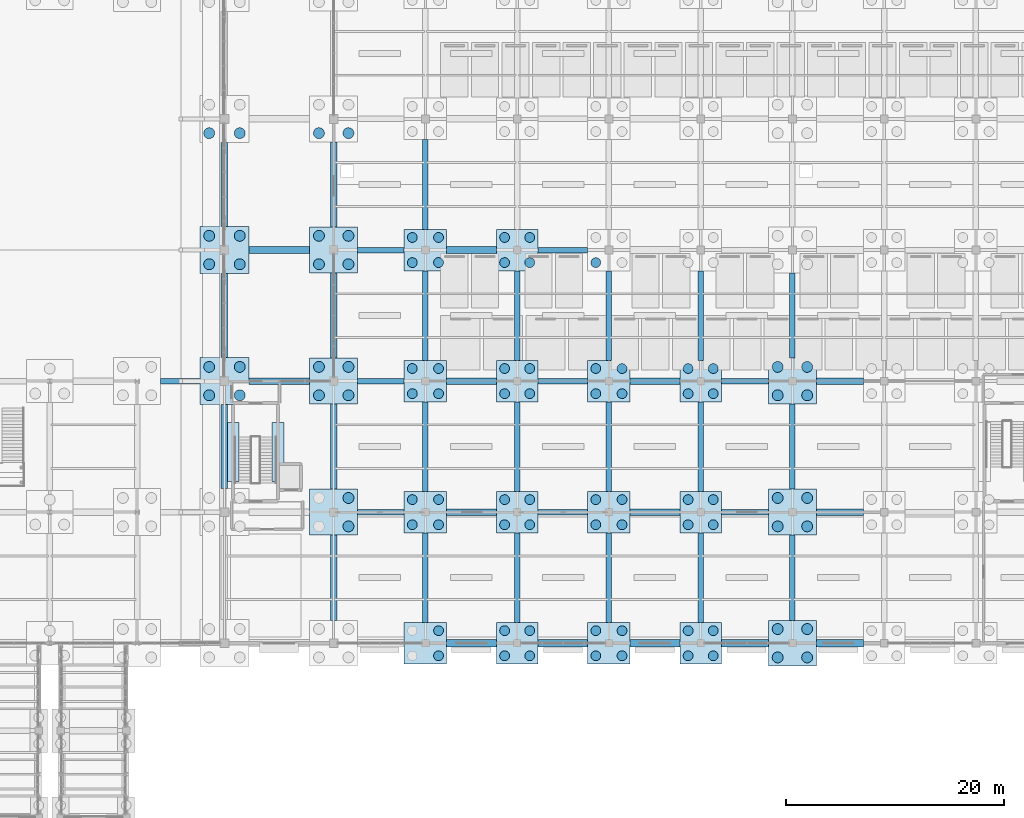
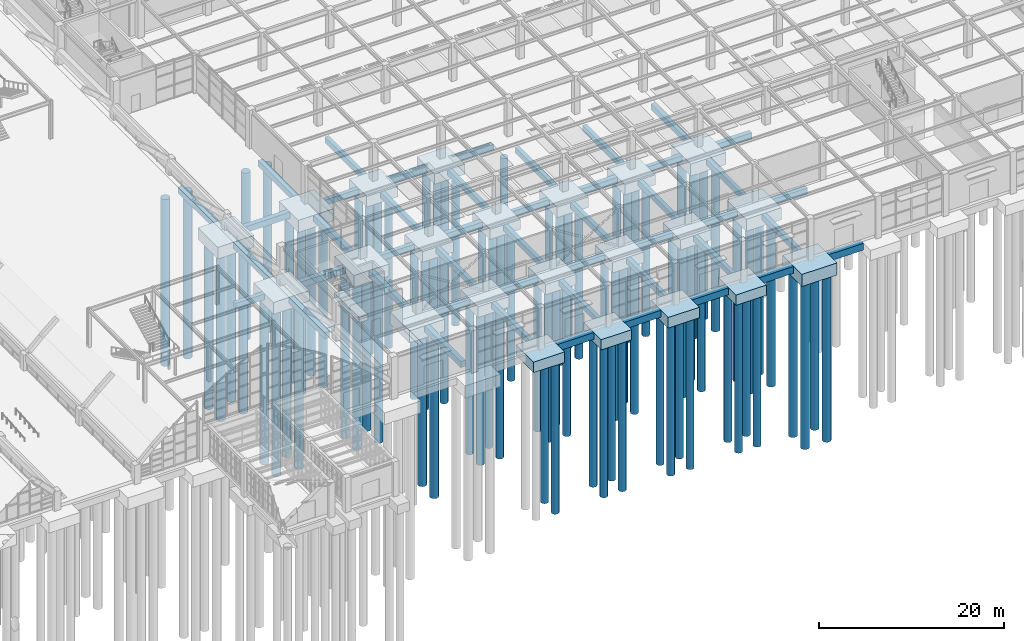
# One storey, part 3 of 129: 89 piles, 70 footings.
"""IFC4 building model written with IfcOpenShell, lengths in metres."""

import ifcopenshell
import ifcopenshell.guid

model = None  # the IFC model being written
_history = None  # IfcOwnerHistory: only IFC2X3 demands one
_inside = {}  # id of a spatial element -> (the spatial element, [elements in it])
_under = {}  # id of a project, library or spatial element -> (it, [spatial elements below it])
_declared = {}  # id of a project -> (the project, [libraries it declares])
_typed = {}  # id of a type object -> (the type object, [elements of that type])
_made_of = {}  # id of a material, layer set ... -> (it, [elements and type objects made of it])


def new_model(schema):
    """Start an empty IFC model of exactly this schema.

    Asked for "IFC4X3", IfcOpenShell would pick the latest addendum, in which some entities
    have other attributes; the version numbers below select the first issue.
    IFC2X3 requires an IfcOwnerHistory on every rooted entity: one is made here for all.
    """
    global model, _history
    if schema == "IFC4X3":
        model = ifcopenshell.file(schema_version=(4, 3, 0, 0))
    else:
        model = ifcopenshell.file(schema=schema)
    _inside.clear()
    _under.clear()
    _declared.clear()
    _typed.clear()
    _made_of.clear()
    _history = None
    if model.schema == "IFC2X3":
        org = make("IfcOrganization", Name="unknown")
        user = make(
            "IfcPersonAndOrganization",
            ThePerson=make("IfcPerson", FamilyName="unknown"),
            TheOrganization=org,
        )
        app = make(
            "IfcApplication",
            ApplicationDeveloper=org,
            Version="unknown",
            ApplicationFullName="unknown",
            ApplicationIdentifier="unknown",
        )
        _history = make(
            "IfcOwnerHistory",
            OwningUser=user,
            OwningApplication=app,
            ChangeAction="ADDED",
            CreationDate=0,
        )
    return model


def make(cls, **values):
    """One entity of the class cls with the attributes given. An attribute that is None is left unset."""
    return model.create_entity(
        cls, **{name: value for name, value in values.items() if value is not None}
    )


def rooted(cls, **values):
    """An entity with a GlobalId (a new one), such as an element, a storey or a relation."""
    return make(cls, GlobalId=ifcopenshell.guid.new(), OwnerHistory=_history, **values)


def si_unit(unit_type, name, prefix=None):
    """IfcSIUnit, for example si_unit("LENGTHUNIT", "METRE", prefix="MILLI")."""
    return make("IfcSIUnit", UnitType=unit_type, Prefix=prefix, Name=name)


def assignment(units):
    """IfcUnitAssignment: the units of a project."""
    return None if units is None else make("IfcUnitAssignment", Units=units)


def point(xyz):
    """IfcCartesianPoint."""
    return None if xyz is None else make("IfcCartesianPoint", Coordinates=xyz)


def direction(xyz):
    """IfcDirection."""
    return None if xyz is None else make("IfcDirection", DirectionRatios=xyz)


def frame(location, z_axis=None, x_axis=None):
    """IfcAxis2Placement3D, a coordinate frame: its origin and axes. An axis left out is left unset."""
    return make(
        "IfcAxis2Placement3D",
        Location=point(location),
        Axis=direction(z_axis),
        RefDirection=direction(x_axis),
    )


def frame_2d(location, x_axis=None):
    """IfcAxis2Placement2D, a coordinate frame in the plane: its origin and x axis."""
    return make(
        "IfcAxis2Placement2D", Location=point(location), RefDirection=direction(x_axis)
    )


def origin():
    """The frame at (0, 0, 0) with its axes left unset."""
    return frame((0.0, 0.0, 0.0))


def origin_2d():
    """The frame at (0, 0) in the plane with its x axis left unset."""
    return frame_2d((0.0, 0.0))


def place(relative_to, where):
    """IfcLocalPlacement: puts the frame where relative to a parent placement (None: the world)."""
    return make(
        "IfcLocalPlacement", PlacementRelTo=relative_to, RelativePlacement=where
    )


def context(
    kind, dimensions, precision=None, world=None, true_north=None, identifier=None
):
    """IfcGeometricRepresentationContext, for example the 3D "Model" context."""
    return make(
        "IfcGeometricRepresentationContext",
        ContextIdentifier=identifier,
        ContextType=kind,
        CoordinateSpaceDimension=dimensions,
        Precision=precision,
        WorldCoordinateSystem=world,
        TrueNorth=true_north,
    )


def subcontext(parent, identifier, kind, view, scale=None):
    """IfcGeometricRepresentationSubContext, for example "Body" below "Model"."""
    return make(
        "IfcGeometricRepresentationSubContext",
        ContextIdentifier=identifier,
        ContextType=kind,
        ParentContext=parent,
        TargetScale=scale,
        TargetView=view,
    )


def project(units=None, contexts=None):
    """IfcProject with its units and contexts."""
    return rooted(
        "IfcProject",
        Name="project",
        RepresentationContexts=contexts,
        UnitsInContext=assignment(units),
    )


def spatial(cls, under=None, at=None, **own):
    """A site, building, storey or space (cls), placed at a placement, below another one or the project."""
    s = rooted(cls, ObjectPlacement=at, **own)
    if under is not None:
        _under.setdefault(under.id(), (under, []))[1].append(s)
    return s


def profile(cls, at=None, kind="AREA", **sizes):
    """A parametric profile (cls). Its sizes go by their IFC names, for example OverallWidth=200.0."""
    return make(cls, ProfileType=kind, Position=at, **sizes)


def rectangle(**sizes):
    """IfcRectangleProfileDef."""
    return profile("IfcRectangleProfileDef", **sizes)


def circle(**sizes):
    """IfcCircleProfileDef."""
    return profile("IfcCircleProfileDef", **sizes)


def extrude(swept, where, along, depth):
    """IfcExtrudedAreaSolid: the profile swept, set in the frame where, extruded along a direction by depth."""
    return make(
        "IfcExtrudedAreaSolid",
        SweptArea=swept,
        Position=where,
        ExtrudedDirection=direction(along),
        Depth=depth,
    )


def shape(context_of_items, identifier, shape_type, items):
    """IfcShapeRepresentation: the items that make up one representation, for example the "Body"."""
    return make(
        "IfcShapeRepresentation",
        ContextOfItems=context_of_items,
        RepresentationIdentifier=identifier,
        RepresentationType=shape_type,
        Items=items,
    )


def material(Name=None, Category=None):
    """IfcMaterial."""
    return make("IfcMaterial", Name=Name, Category=Category)


def material_profile(
    of_material, cross_section, Name=None, Category=None, Priority=None
):
    """IfcMaterialProfile: a cross section and its material."""
    return make(
        "IfcMaterialProfile",
        Name=Name,
        Material=of_material,
        Profile=cross_section,
        Priority=Priority,
        Category=Category,
    )


def profile_set(profiles, Name=None, composite=None):
    """IfcMaterialProfileSet."""
    return make(
        "IfcMaterialProfileSet",
        Name=Name,
        MaterialProfiles=profiles,
        CompositeProfile=composite,
    )


def made_of(thing, what):
    """Note that an element or type object is made of a material, layer set ...; save() writes the relation."""
    if what is not None:
        _made_of.setdefault(what.id(), (what, []))[1].append(thing)
    return thing


def type_object(cls, material=None, **own):
    """A type object (cls), such as IfcWallType, which elements share."""
    return made_of(rooted(cls, **own), material)


def element(
    cls,
    number,
    at=None,
    inside=None,
    cuts=None,
    type_object=None,
    material=None,
    context=None,
    identifier="Body",
    shape_type=None,
    held_by="IfcProductDefinitionShape",
    body=None,
    shapes=None,
    **own,
):
    """One element of the class cls, such as IfcWall. Its Tag is "e" and its number.

    at: its placement. inside: the storey or other place that contains it. cuts: it is an
    opening in that element (IfcRelVoidsElement). A single representation is given by context,
    identifier, shape_type and body (its items); several are given by shapes. held_by: the class
    of the entity that holds the representations. save() writes the other relations.
    """
    e = rooted(cls, Tag="e%d" % number, ObjectPlacement=at, **own)
    if body is not None:
        shapes = [shape(context, identifier, shape_type, body)]
    if shapes is not None:
        e.Representation = make(held_by, Representations=shapes)
    if inside is not None:
        _inside.setdefault(inside.id(), (inside, []))[1].append(e)
    if cuts is not None:
        rooted(
            "IfcRelVoidsElement", RelatingBuildingElement=cuts, RelatedOpeningElement=e
        )
    if type_object is not None:
        _typed.setdefault(type_object.id(), (type_object, []))[1].append(e)
    return made_of(e, material)


def aggregate(whole, parts):
    """IfcRelAggregates: a whole, such as a stair, and the parts it consists of."""
    return rooted("IfcRelAggregates", RelatingObject=whole, RelatedObjects=parts)


def save(model, path):
    """Write the relations noted so far, then the file.

    IfcRelAggregates (storeys below a building ...), IfcRelContainedInSpatialStructure (elements
    in a storey), IfcRelDefinesByType, IfcRelAssociatesMaterial and IfcRelDeclares: one each for
    every whole, place, type object, material and project.
    """
    for whole, parts in _under.values():
        aggregate(whole, parts)
    for where, things in _inside.values():
        rooted(
            "IfcRelContainedInSpatialStructure",
            RelatedElements=things,
            RelatingStructure=where,
        )
    for kind, things in _typed.values():
        rooted("IfcRelDefinesByType", RelatedObjects=things, RelatingType=kind)
    for what, things in _made_of.values():
        rooted("IfcRelAssociatesMaterial", RelatedObjects=things, RelatingMaterial=what)
    for by, libraries in _declared.values():
        rooted("IfcRelDeclares", RelatingContext=by, RelatedDefinitions=libraries)
    model.write(path)


model = new_model("IFC4")

# Units and contexts
model_context = context("Model", 3, precision=1e-05, world=origin(), true_north=direction((0.0, 1.0)))
body_context = subcontext(model_context, "Body", "Model", "MODEL_VIEW")
ifc_project = project(units=[si_unit("LENGTHUNIT", "METRE"), si_unit("AREAUNIT", "SQUARE_METRE"), si_unit("VOLUMEUNIT", "CUBIC_METRE"), si_unit("PLANEANGLEUNIT", "RADIAN"), si_unit("MASSUNIT", "GRAM", prefix="KILO")], contexts=[model_context])

# Site, building, storey
site_placement = place(None, origin())
site = spatial("IfcSite", under=ifc_project, at=site_placement, CompositionType="ELEMENT")
building_placement = place(site_placement, origin())
building = spatial("IfcBuilding", under=site, at=building_placement, Name="Sitalva Quay Ferry Terminal", CompositionType="ELEMENT")
storey_placement = place(building_placement, origin())
storey = spatial("IfcBuildingStorey", under=building, at=storey_placement, Name="L01", CompositionType="ELEMENT", Elevation=0.0)

# Footings
ifc_material_1 = material(Name="Concrete C35/45", Category="concrete")
ifc_material_profile_1 = material_profile(ifc_material_1, rectangle(XDim=0.5, YDim=0.75, at=origin_2d()), Name="RC500x750")
ifc_profile_set_1 = profile_set([ifc_material_profile_1], Name="Concrete C35/45")
footing_type_1 = type_object("IfcFootingType", Name="FootingBeam_500x750", PredefinedType="FOOTING_BEAM", material=ifc_profile_set_1)
footing_1_placement = place(storey_placement, frame((86.199951171875, 18.0, -0.824951171875), z_axis=(1.0, 0.0, 0.0), x_axis=(0.0, 1.0, 0.0)))
element("IfcFooting", 1, at=footing_1_placement, inside=storey, type_object=footing_type_1, Name="Foundation tie beam FBR1-X-033", PredefinedType="FOOTING_BEAM", context=body_context, shape_type="SweptSolid", body=[
    extrude(rectangle(XDim=0.5, YDim=0.75, at=origin_2d()), origin(), (0.0, 0.0, 1.0), 4.25),
])
footing_2_placement = place(storey_placement, frame((102.699951171875, 18.0, -0.824951171875), z_axis=(1.0, 0.0, 0.0), x_axis=(0.0, 1.0, 0.0)))
element("IfcFooting", 2, at=footing_2_placement, inside=storey, type_object=footing_type_1, Name="Foundation tie beam FBR1-X-035", PredefinedType="FOOTING_BEAM", context=body_context, shape_type="SweptSolid", body=[
    extrude(rectangle(XDim=0.5, YDim=0.75, at=origin_2d()), origin(), (0.0, 0.0, 1.0), 4.550048828125),
])
footing_3_placement = place(storey_placement, frame((119.5, 18.0, -0.824951171875), z_axis=(1.0, 0.0, 0.0), x_axis=(0.0, 1.0, 0.0)))
element("IfcFooting", 3, at=footing_3_placement, inside=storey, type_object=footing_type_1, Name="Foundation tie beam FBR1-X-037", PredefinedType="FOOTING_BEAM", context=body_context, shape_type="SweptSolid", body=[
    extrude(rectangle(XDim=0.5, YDim=0.75, at=origin_2d()), origin(), (0.0, 0.0, 1.0), 4.300048828125),
])
footing_4_placement = place(storey_placement, frame((68.14990234375, 30.0, -0.824951171875), z_axis=(1.0, 0.0, 0.0), x_axis=(0.0, 1.0, 0.0)))
element("IfcFooting", 4, at=footing_4_placement, inside=storey, type_object=footing_type_1, Name="Foundation tie beam FBR1-X-051", PredefinedType="FOOTING_BEAM", context=body_context, shape_type="SweptSolid", body=[
    extrude(rectangle(XDim=0.5, YDim=0.75, at=origin_2d()), origin(), (0.0, 0.0, 1.0), 3.60009765625),
])
footing_5_placement = place(storey_placement, frame((86.199951171875, 30.0, -0.824951171875), z_axis=(1.0, 0.0, 0.0), x_axis=(0.0, 1.0, 0.0)))
element("IfcFooting", 5, at=footing_5_placement, inside=storey, type_object=footing_type_1, Name="Foundation tie beam FBR1-X-053", PredefinedType="FOOTING_BEAM", context=body_context, shape_type="SweptSolid", body=[
    extrude(rectangle(XDim=0.5, YDim=0.75, at=origin_2d()), origin(), (0.0, 0.0, 1.0), 4.25),
])
footing_6_placement = place(storey_placement, frame((102.699951171875, 30.0, -0.824951171875), z_axis=(1.0, 0.0, 0.0), x_axis=(0.0, 1.0, 0.0)))
element("IfcFooting", 6, at=footing_6_placement, inside=storey, type_object=footing_type_1, Name="Foundation tie beam FBR1-X-055", PredefinedType="FOOTING_BEAM", context=body_context, shape_type="SweptSolid", body=[
    extrude(rectangle(XDim=0.5, YDim=0.75, at=origin_2d()), origin(), (0.0, 0.0, 1.0), 4.550048828125),
])
footing_7_placement = place(storey_placement, frame((119.5, 30.0, -0.824951171875), z_axis=(1.0, 0.0, 0.0), x_axis=(0.0, 1.0, 0.0)))
element("IfcFooting", 7, at=footing_7_placement, inside=storey, type_object=footing_type_1, Name="Foundation tie beam FBR1-X-057", PredefinedType="FOOTING_BEAM", context=body_context, shape_type="SweptSolid", body=[
    extrude(rectangle(XDim=0.5, YDim=0.75, at=origin_2d()), origin(), (0.0, 0.0, 1.0), 4.300048828125),
])
footing_8_placement = place(storey_placement, frame((86.199951171875, 42.0, -0.824951171875), z_axis=(1.0, 0.0, 0.0), x_axis=(0.0, 1.0, 0.0)))
element("IfcFooting", 8, at=footing_8_placement, inside=storey, type_object=footing_type_1, Name="Foundation tie beam FBR1-X-069", PredefinedType="FOOTING_BEAM", context=body_context, shape_type="SweptSolid", body=[
    extrude(rectangle(XDim=0.5, YDim=0.75, at=origin_2d()), origin(), (0.0, 0.0, 1.0), 4.25),
])
footing_9_placement = place(storey_placement, frame((102.699951171875, 42.0, -0.824951171875), z_axis=(1.0, 0.0, 0.0), x_axis=(0.0, 1.0, 0.0)))
element("IfcFooting", 9, at=footing_9_placement, inside=storey, type_object=footing_type_1, Name="Foundation tie beam FBR1-X-071", PredefinedType="FOOTING_BEAM", context=body_context, shape_type="SweptSolid", body=[
    extrude(rectangle(XDim=0.5, YDim=0.75, at=origin_2d()), origin(), (0.0, 0.0, 1.0), 4.550048828125),
])
for number, where, z_axis, x_axis, name in (
    (10, (92.39990234375, 7.89990234375, -0.824951171875), (0.0, 1.0, 0.0), (-1.0, 0.0, 0.0), "Foundation tie beam FBR1-Y-301"),
    (11, (92.39990234375, 19.89990234375, -0.824951171875), (0.0, 1.0, 0.0), (-1.0, 0.0, 0.0), "Foundation tie beam FBR1-Y-302"),
    (12, (92.39990234375, 31.89990234375, -0.824951171875), (0.0, 1.0, 0.0), (-1.0, 0.0, 0.0), "Foundation tie beam FBR1-Y-303"),
    (13, (92.39990234375, 43.89990234375, -0.824951171875), (0.0, 1.0, 0.0), (-1.0, 0.0, 0.0), "Foundation tie beam FBR1-Y-304"),
    (14, (100.800048828125, 7.89990234375, -0.824951171875), (0.0, 1.0, 0.0), (-1.0, 0.0, 0.0), "Foundation tie beam FBR1-Y-311"),
    (15, (100.800048828125, 19.89990234375, -0.824951171875), (0.0, 1.0, 0.0), (-1.0, 0.0, 0.0), "Foundation tie beam FBR1-Y-312"),
    (16, (100.800048828125, 31.89990234375, -0.824951171875), (0.0, 1.0, 0.0), (-1.0, 0.0, 0.0), "Foundation tie beam FBR1-Y-313"),
    (17, (109.199951171875, 7.89990234375, -0.824951171875), (0.0, 1.0, 0.0), (-1.0, 0.0, 0.0), "Foundation tie beam FBR1-Y-321"),
    (18, (109.199951171875, 19.89990234375, -0.824951171875), (0.0, 1.0, 0.0), (-1.0, 0.0, 0.0), "Foundation tie beam FBR1-Y-322"),
    (19, (109.199951171875, 31.89990234375, -0.824951171875), (0.0, 1.0, 0.0), (-1.0, 0.0, 0.0), "Foundation tie beam FBR1-Y-323"),
    (20, (117.60009765625, 7.89990234375, -0.824951171875), (0.0, 1.0, 0.0), (-1.0, 0.0, 0.0), "Foundation tie beam FBR1-Y-331"),
    (21, (117.60009765625, 19.89990234375, -0.824951171875), (0.0, 1.0, 0.0), (-1.0, 0.0, 0.0), "Foundation tie beam FBR1-Y-332"),
    (22, (117.60009765625, 31.89990234375, -0.824951171875), (0.0, 1.0, 0.0), (-1.0, 0.0, 0.0), "Foundation tie beam FBR1-Y-333"),
):
    element("IfcFooting", number, at=place(storey_placement, frame(where, z_axis=z_axis, x_axis=x_axis)), inside=storey, type_object=footing_type_1, Name=name, PredefinedType="FOOTING_BEAM", context=body_context, shape_type="SweptSolid", body=[
        extrude(rectangle(XDim=0.5, YDim=0.75, at=origin_2d()), origin(), (0.0, 0.0, 1.0), 8.2001953125),
    ])
for number, where, z_axis, x_axis, name in (
    (23, (126.0, 8.10009765625, -0.824951171875), (0.0, 1.0, 0.0), (-1.0, 0.0, 0.0), "Foundation tie beam FBR1-Y-341"),
    (24, (126.0, 20.10009765625, -0.824951171875), (0.0, 1.0, 0.0), (-1.0, 0.0, 0.0), "Foundation tie beam FBR1-Y-342"),
    (25, (126.0, 32.10009765625, -0.824951171875), (0.0, 1.0, 0.0), (-1.0, 0.0, 0.0), "Foundation tie beam FBR1-Y-343"),
):
    element("IfcFooting", number, at=place(storey_placement, frame(where, z_axis=z_axis, x_axis=x_axis)), inside=storey, type_object=footing_type_1, Name=name, PredefinedType="FOOTING_BEAM", context=body_context, shape_type="SweptSolid", body=[
        extrude(rectangle(XDim=0.5, YDim=0.75, at=origin_2d()), origin(), (0.0, 0.0, 1.0), 7.7998046875),
    ])
ifc_material_2 = material(Name="Concrete C35/45", Category="concrete")
ifc_material_profile_2 = material_profile(ifc_material_2, rectangle(XDim=0.60009765625, YDim=0.800048828125, at=origin_2d()), Name="RC600x800")
ifc_profile_set_2 = profile_set([ifc_material_profile_2], Name="Concrete C35/45")
footing_type_2 = type_object("IfcFootingType", Name="FootingBeam_600x800", PredefinedType="FOOTING_BEAM", material=ifc_profile_set_2)
footing_10_placement = place(storey_placement, frame((94.35009765625, 18.0, -0.85009765625), z_axis=(1.0, 0.0, 0.0), x_axis=(0.0, 1.0, 0.0)))
element("IfcFooting", 26, at=footing_10_placement, inside=storey, type_object=footing_type_2, Name="Foundation tie beam FBR1-X-034", PredefinedType="FOOTING_BEAM", context=body_context, shape_type="SweptSolid", body=[
    extrude(rectangle(XDim=0.60009765625, YDim=0.800048828125, at=origin_2d()), origin(), (0.0, 0.0, 1.0), 4.5498046875),
])
footing_11_placement = place(storey_placement, frame((111.14990234375, 18.0, -0.85009765625), z_axis=(1.0, 0.0, 0.0), x_axis=(0.0, 1.0, 0.0)))
element("IfcFooting", 27, at=footing_11_placement, inside=storey, type_object=footing_type_2, Name="Foundation tie beam FBR1-X-036", PredefinedType="FOOTING_BEAM", context=body_context, shape_type="SweptSolid", body=[
    extrude(rectangle(XDim=0.60009765625, YDim=0.800048828125, at=origin_2d()), origin(), (0.0, 0.0, 1.0), 4.550048828125),
])
footing_12_placement = place(storey_placement, frame((128.199951171875, 18.0, -0.85009765625), z_axis=(1.0, 0.0, 0.0), x_axis=(0.0, 1.0, 0.0)))
element("IfcFooting", 28, at=footing_12_placement, inside=storey, type_object=footing_type_2, Name="Foundation tie beam FBR1-X-038", PredefinedType="FOOTING_BEAM", context=body_context, shape_type="SweptSolid", body=[
    extrude(rectangle(XDim=0.60009765625, YDim=0.800048828125, at=origin_2d()), origin(), (0.0, 0.0, 1.0), 4.300048828125),
])
footing_13_placement = place(storey_placement, frame((76.25, 30.0, -0.85009765625), z_axis=(1.0, 0.0, 0.0), x_axis=(0.0, 1.0, 0.0)))
element("IfcFooting", 29, at=footing_13_placement, inside=storey, type_object=footing_type_2, Name="Foundation tie beam FBR1-X-052", PredefinedType="FOOTING_BEAM", context=body_context, shape_type="SweptSolid", body=[
    extrude(rectangle(XDim=0.60009765625, YDim=0.800048828125, at=origin_2d()), origin(), (0.0, 0.0, 1.0), 5.550048828125),
])
footing_14_placement = place(storey_placement, frame((94.35009765625, 30.0, -0.85009765625), z_axis=(1.0, 0.0, 0.0), x_axis=(0.0, 1.0, 0.0)))
element("IfcFooting", 30, at=footing_14_placement, inside=storey, type_object=footing_type_2, Name="Foundation tie beam FBR1-X-054", PredefinedType="FOOTING_BEAM", context=body_context, shape_type="SweptSolid", body=[
    extrude(rectangle(XDim=0.60009765625, YDim=0.800048828125, at=origin_2d()), origin(), (0.0, 0.0, 1.0), 4.5498046875),
])
footing_15_placement = place(storey_placement, frame((111.14990234375, 30.0, -0.85009765625), z_axis=(1.0, 0.0, 0.0), x_axis=(0.0, 1.0, 0.0)))
element("IfcFooting", 31, at=footing_15_placement, inside=storey, type_object=footing_type_2, Name="Foundation tie beam FBR1-X-056", PredefinedType="FOOTING_BEAM", context=body_context, shape_type="SweptSolid", body=[
    extrude(rectangle(XDim=0.60009765625, YDim=0.800048828125, at=origin_2d()), origin(), (0.0, 0.0, 1.0), 4.550048828125),
])
footing_16_placement = place(storey_placement, frame((128.199951171875, 30.0, -0.85009765625), z_axis=(1.0, 0.0, 0.0), x_axis=(0.0, 1.0, 0.0)))
element("IfcFooting", 32, at=footing_16_placement, inside=storey, type_object=footing_type_2, Name="Foundation tie beam FBR1-X-058", PredefinedType="FOOTING_BEAM", context=body_context, shape_type="SweptSolid", body=[
    extrude(rectangle(XDim=0.60009765625, YDim=0.800048828125, at=origin_2d()), origin(), (0.0, 0.0, 1.0), 4.300048828125),
])
footing_17_placement = place(storey_placement, frame((76.25, 42.0, -0.85009765625), z_axis=(1.0, 0.0, 0.0), x_axis=(0.0, 1.0, 0.0)))
element("IfcFooting", 33, at=footing_17_placement, inside=storey, type_object=footing_type_2, Name="Foundation tie beam FBR1-X-068", PredefinedType="FOOTING_BEAM", context=body_context, shape_type="SweptSolid", body=[
    extrude(rectangle(XDim=0.60009765625, YDim=0.800048828125, at=origin_2d()), origin(), (0.0, 0.0, 1.0), 5.550048828125),
])
footing_18_placement = place(storey_placement, frame((94.35009765625, 42.0, -0.85009765625), z_axis=(1.0, 0.0, 0.0), x_axis=(0.0, 1.0, 0.0)))
element("IfcFooting", 34, at=footing_18_placement, inside=storey, type_object=footing_type_2, Name="Foundation tie beam FBR1-X-070", PredefinedType="FOOTING_BEAM", context=body_context, shape_type="SweptSolid", body=[
    extrude(rectangle(XDim=0.60009765625, YDim=0.800048828125, at=origin_2d()), origin(), (0.0, 0.0, 1.0), 4.5498046875),
])
for number, where, z_axis, x_axis, name in (
    (35, (74.0, 20.14990234375, -0.85009765625), (0.0, 1.0, 0.0), (-1.0, 0.0, 0.0), "Foundation tie beam FBR1-Y-282"),
    (36, (74.0, 32.14990234375, -0.85009765625), (0.0, 1.0, 0.0), (-1.0, 0.0, 0.0), "Foundation tie beam FBR1-Y-283"),
    (37, (74.0, 44.14990234375, -0.85009765625), (0.0, 1.0, 0.0), (-1.0, 0.0, 0.0), "Foundation tie beam FBR1-Y-284"),
):
    element("IfcFooting", number, at=place(storey_placement, frame(where, z_axis=z_axis, x_axis=x_axis)), inside=storey, type_object=footing_type_2, Name=name, PredefinedType="FOOTING_BEAM", context=body_context, shape_type="SweptSolid", body=[
        extrude(rectangle(XDim=0.60009765625, YDim=0.800048828125, at=origin_2d()), origin(), (0.0, 0.0, 1.0), 7.7001953125),
    ])
for number, where, z_axis, x_axis, name in (
    (38, (84.0, 8.10009765625, -0.85009765625), (0.0, 1.0, 0.0), (-1.0, 0.0, 0.0), "Foundation tie beam FBR1-Y-291"),
    (39, (84.0, 20.10009765625, -0.85009765625), (0.0, 1.0, 0.0), (-1.0, 0.0, 0.0), "Foundation tie beam FBR1-Y-292"),
    (40, (84.0, 32.10009765625, -0.85009765625), (0.0, 1.0, 0.0), (-1.0, 0.0, 0.0), "Foundation tie beam FBR1-Y-293"),
    (41, (84.0, 44.10009765625, -0.85009765625), (0.0, 1.0, 0.0), (-1.0, 0.0, 0.0), "Foundation tie beam FBR1-Y-294"),
):
    element("IfcFooting", number, at=place(storey_placement, frame(where, z_axis=z_axis, x_axis=x_axis)), inside=storey, type_object=footing_type_2, Name=name, PredefinedType="FOOTING_BEAM", context=body_context, shape_type="SweptSolid", body=[
        extrude(rectangle(XDim=0.60009765625, YDim=0.800048828125, at=origin_2d()), origin(), (0.0, 0.0, 1.0), 7.7998046875),
    ])
ifc_material_3 = material(Name="Concrete C35/45", Category="concrete")
ifc_material_profile_3 = material_profile(ifc_material_3, rectangle(XDim=0.64990234375, YDim=0.89990234375, at=origin_2d()), Name="RC650x900")
ifc_profile_set_3 = profile_set([ifc_material_profile_3], Name="Concrete C35/45")
footing_type_3 = type_object("IfcFootingType", Name="FootingBeam_650x900", PredefinedType="FOOTING_BEAM", material=ifc_profile_set_3)
footing_19_placement = place(storey_placement, frame((94.35009765625, 6.0, -0.89990234375), z_axis=(1.0, 0.0, 0.0), x_axis=(0.0, 1.0, 0.0)))
element("IfcFooting", 42, at=footing_19_placement, inside=storey, type_object=footing_type_3, Name="Foundation tie beam FBR1-X-017", PredefinedType="FOOTING_BEAM", context=body_context, shape_type="SweptSolid", body=[
    extrude(rectangle(XDim=0.64990234375, YDim=0.89990234375, at=origin_2d()), origin(), (0.0, 0.0, 1.0), 4.5498046875),
])
for number, where, z_axis, x_axis, name in (
    (43, (102.699951171875, 6.0, -0.89990234375), (1.0, 0.0, 0.0), (0.0, 1.0, 0.0), "Foundation tie beam FBR1-X-018"),
    (44, (111.14990234375, 6.0, -0.89990234375), (1.0, 0.0, 0.0), (0.0, 1.0, 0.0), "Foundation tie beam FBR1-X-019"),
):
    element("IfcFooting", number, at=place(storey_placement, frame(where, z_axis=z_axis, x_axis=x_axis)), inside=storey, type_object=footing_type_3, Name=name, PredefinedType="FOOTING_BEAM", context=body_context, shape_type="SweptSolid", body=[
        extrude(rectangle(XDim=0.64990234375, YDim=0.89990234375, at=origin_2d()), origin(), (0.0, 0.0, 1.0), 4.550048828125),
    ])
for number, where, z_axis, x_axis, name in (
    (45, (119.5, 6.0, -0.89990234375), (1.0, 0.0, 0.0), (0.0, 1.0, 0.0), "Foundation tie beam FBR1-X-020"),
    (46, (128.199951171875, 6.0, -0.89990234375), (1.0, 0.0, 0.0), (0.0, 1.0, 0.0), "Foundation tie beam FBR1-X-021"),
):
    element("IfcFooting", number, at=place(storey_placement, frame(where, z_axis=z_axis, x_axis=x_axis)), inside=storey, type_object=footing_type_3, Name=name, PredefinedType="FOOTING_BEAM", context=body_context, shape_type="SweptSolid", body=[
        extrude(rectangle(XDim=0.64990234375, YDim=0.89990234375, at=origin_2d()), origin(), (0.0, 0.0, 1.0), 4.300048828125),
    ])
ifc_material_4 = material(Name="Concrete C35/45", Category="concrete")
footing_type_4 = type_object("IfcFootingType", Name="PileCap_4P_D1000_C", PredefinedType="PILE_CAP", material=ifc_material_4)
for number, where, z_axis, x_axis, name in (
    (47, (126.0, 6.0, -2.050048828125), (0.0, 0.0, 1.0), (1.0, 0.0, 0.0), "Pile cap PC-05 at 16C"),
    (48, (84.0, 18.0, -2.050048828125), (0.0, 0.0, 1.0), (1.0, 0.0, 0.0), "Pile cap PC-05 at 11D"),
    (49, (126.0, 18.0, -2.050048828125), (0.0, 0.0, 1.0), (1.0, 0.0, 0.0), "Pile cap PC-05 at 16D"),
    (50, (84.0, 30.0, -2.050048828125), (0.0, 0.0, 1.0), (1.0, 0.0, 0.0), "Pile cap PC-05 at 11E"),
    (51, (126.0, 30.0, -2.050048828125), (0.0, 0.0, 1.0), (1.0, 0.0, 0.0), "Pile cap PC-05 at 16E"),
    (52, (84.0, 42.0, -2.050048828125), (0.0, 0.0, 1.0), (1.0, 0.0, 0.0), "Pile cap PC-05 at 11F"),
):
    element("IfcFooting", number, at=place(storey_placement, frame(where, z_axis=z_axis, x_axis=x_axis)), inside=storey, type_object=footing_type_4, Name=name, PredefinedType="PILE_CAP", context=body_context, shape_type="SweptSolid", body=[
        extrude(rectangle(XDim=4.39990234375, YDim=4.199951171875, at=origin_2d()), origin(), (0.0, 0.0, 1.0), 1.60009765625),
    ])
ifc_material_5 = material(Name="Concrete C35/45", Category="concrete")
footing_type_5 = type_object("IfcFootingType", Name="PileCap_4P_D1000_V1", PredefinedType="PILE_CAP", material=ifc_material_5)
for number, where, z_axis, x_axis, name in (
    (53, (74.0, 30.0, -2.0), (0.0, 0.0, 1.0), (1.0, 0.0, 0.0), "Pile cap PC-06 at 10E"),
    (54, (74.0, 42.0, -2.0), (0.0, 0.0, 1.0), (1.0, 0.0, 0.0), "Pile cap PC-06 at 10F"),
):
    element("IfcFooting", number, at=place(storey_placement, frame(where, z_axis=z_axis, x_axis=x_axis)), inside=storey, type_object=footing_type_5, Name=name, PredefinedType="PILE_CAP", context=body_context, shape_type="SweptSolid", body=[
        extrude(rectangle(XDim=4.5, YDim=4.300048828125, at=origin_2d()), origin(), (0.0, 0.0, 1.0), 1.550048828125),
    ])
ifc_material_6 = material(Name="Concrete C35/45", Category="concrete")
footing_type_6 = type_object("IfcFootingType", Name="PileCap_4P_D900_A", PredefinedType="PILE_CAP", material=ifc_material_6)
for number, where, z_axis, x_axis, name in (
    (55, (100.800048828125, 6.0, -1.800048828125), (0.0, 0.0, 1.0), (1.0, 0.0, 0.0), "Pile cap PC-07 at 13C"),
    (56, (117.60009765625, 6.0, -1.800048828125), (0.0, 0.0, 1.0), (1.0, 0.0, 0.0), "Pile cap PC-07 at 15C"),
    (57, (100.800048828125, 18.0, -1.800048828125), (0.0, 0.0, 1.0), (1.0, 0.0, 0.0), "Pile cap PC-07 at 13D"),
    (58, (117.60009765625, 18.0, -1.800048828125), (0.0, 0.0, 1.0), (1.0, 0.0, 0.0), "Pile cap PC-07 at 15D"),
    (59, (100.800048828125, 30.0, -1.800048828125), (0.0, 0.0, 1.0), (1.0, 0.0, 0.0), "Pile cap PC-07 at 13E"),
    (60, (117.60009765625, 30.0, -1.800048828125), (0.0, 0.0, 1.0), (1.0, 0.0, 0.0), "Pile cap PC-07 at 15E"),
    (61, (100.800048828125, 42.0, -1.800048828125), (0.0, 0.0, 1.0), (1.0, 0.0, 0.0), "Pile cap PC-07 at 13F"),
):
    element("IfcFooting", number, at=place(storey_placement, frame(where, z_axis=z_axis, x_axis=x_axis)), inside=storey, type_object=footing_type_6, Name=name, PredefinedType="PILE_CAP", context=body_context, shape_type="SweptSolid", body=[
        extrude(rectangle(XDim=3.800048828125, YDim=3.800048828125, at=origin_2d()), origin(), (0.0, 0.0, 1.0), 1.35009765625),
    ])
ifc_material_7 = material(Name="Concrete C35/45", Category="concrete")
footing_type_7 = type_object("IfcFootingType", Name="PileCap_4P_D900_B", PredefinedType="PILE_CAP", material=ifc_material_7)
for number, where, z_axis, x_axis, name in (
    (62, (92.39990234375, 6.0, -1.849853515625), (0.0, 0.0, 1.0), (1.0, 0.0, 0.0), "Pile cap PC-08 at 12C"),
    (63, (109.199951171875, 6.0, -1.849853515625), (0.0, 0.0, 1.0), (1.0, 0.0, 0.0), "Pile cap PC-08 at 14C"),
    (64, (92.39990234375, 18.0, -1.849853515625), (0.0, 0.0, 1.0), (1.0, 0.0, 0.0), "Pile cap PC-08 at 12D"),
    (65, (109.199951171875, 18.0, -1.849853515625), (0.0, 0.0, 1.0), (1.0, 0.0, 0.0), "Pile cap PC-08 at 14D"),
    (66, (92.39990234375, 30.0, -1.849853515625), (0.0, 0.0, 1.0), (1.0, 0.0, 0.0), "Pile cap PC-08 at 12E"),
    (67, (109.199951171875, 30.0, -1.849853515625), (0.0, 0.0, 1.0), (1.0, 0.0, 0.0), "Pile cap PC-08 at 14E"),
    (68, (92.39990234375, 42.0, -1.849853515625), (0.0, 0.0, 1.0), (1.0, 0.0, 0.0), "Pile cap PC-08 at 12F"),
):
    element("IfcFooting", number, at=place(storey_placement, frame(where, z_axis=z_axis, x_axis=x_axis)), inside=storey, type_object=footing_type_7, Name=name, PredefinedType="PILE_CAP", context=body_context, shape_type="SweptSolid", body=[
        extrude(rectangle(XDim=3.89990234375, YDim=3.800048828125, at=origin_2d()), origin(), (0.0, 0.0, 1.0), 1.39990234375),
    ])

# Piles
ifc_material_8 = material(Name="Concrete C35/45", Category="concrete")
ifc_material_profile_4 = material_profile(ifc_material_8, circle(Radius=0.5, at=origin_2d()), Name="PILE-D1000")
ifc_profile_set_4 = profile_set([ifc_material_profile_4], Name="Concrete C35/45")
pile_type_1 = type_object("IfcPileType", Name="Pile_Bored_D1000", PredefinedType="BORED", material=ifc_profile_set_4)
for number, where, z_axis, x_axis, name in (
    (69, (124.64990234375, 4.699951171875, -1.949951171875), (0.0, 0.0, -1.0), (1.0, 0.0, 0.0), "Bored pile 16C-P1"),
    (70, (127.35009765625, 4.699951171875, -1.949951171875), (0.0, 0.0, -1.0), (1.0, 0.0, 0.0), "Bored pile 16C-P2"),
    (71, (124.64990234375, 7.300048828125, -1.949951171875), (0.0, 0.0, -1.0), (1.0, 0.0, 0.0), "Bored pile 16C-P3"),
    (72, (127.35009765625, 7.300048828125, -1.949951171875), (0.0, 0.0, -1.0), (1.0, 0.0, 0.0), "Bored pile 16C-P4"),
    (73, (85.35009765625, 16.699951171875, -1.949951171875), (0.0, 0.0, -1.0), (1.0, 0.0, 0.0), "Bored pile 11D-P2"),
    (74, (85.35009765625, 19.300048828125, -1.949951171875), (0.0, 0.0, -1.0), (1.0, 0.0, 0.0), "Bored pile 11D-P4"),
    (75, (124.64990234375, 16.699951171875, -1.949951171875), (0.0, 0.0, -1.0), (1.0, 0.0, 0.0), "Bored pile 16D-P1"),
    (76, (127.35009765625, 16.699951171875, -1.949951171875), (0.0, 0.0, -1.0), (1.0, 0.0, 0.0), "Bored pile 16D-P2"),
    (77, (124.64990234375, 19.300048828125, -1.949951171875), (0.0, 0.0, -1.0), (1.0, 0.0, 0.0), "Bored pile 16D-P3"),
    (78, (127.35009765625, 19.300048828125, -1.949951171875), (0.0, 0.0, -1.0), (1.0, 0.0, 0.0), "Bored pile 16D-P4"),
    (79, (72.60009765625, 28.699951171875, -1.89990234375), (0.0, 0.0, -1.0), (1.0, 0.0, 0.0), "Bored pile 10E-P1"),
    (80, (75.39990234375, 28.699951171875, -1.89990234375), (0.0, 0.0, -1.0), (1.0, 0.0, 0.0), "Bored pile 10E-P2"),
    (81, (72.60009765625, 31.300048828125, -1.89990234375), (0.0, 0.0, -1.0), (1.0, 0.0, 0.0), "Bored pile 10E-P3"),
    (82, (75.39990234375, 31.300048828125, -1.89990234375), (0.0, 0.0, -1.0), (1.0, 0.0, 0.0), "Bored pile 10E-P4"),
    (83, (82.64990234375, 28.699951171875, -1.949951171875), (0.0, 0.0, -1.0), (1.0, 0.0, 0.0), "Bored pile 11E-P1"),
    (84, (85.35009765625, 28.699951171875, -1.949951171875), (0.0, 0.0, -1.0), (1.0, 0.0, 0.0), "Bored pile 11E-P2"),
    (85, (82.64990234375, 31.300048828125, -1.949951171875), (0.0, 0.0, -1.0), (1.0, 0.0, 0.0), "Bored pile 11E-P3"),
    (86, (85.35009765625, 31.300048828125, -1.949951171875), (0.0, 0.0, -1.0), (1.0, 0.0, 0.0), "Bored pile 11E-P4"),
    (87, (124.64990234375, 28.699951171875, -1.949951171875), (0.0, 0.0, -1.0), (1.0, 0.0, 0.0), "Bored pile 16E-P1"),
    (88, (127.35009765625, 28.699951171875, -1.949951171875), (0.0, 0.0, -1.0), (1.0, 0.0, 0.0), "Bored pile 16E-P2"),
    (89, (124.64990234375, 31.300048828125, -1.949951171875), (0.0, 0.0, -1.0), (1.0, 0.0, 0.0), "Bored pile 16E-P3"),
    (90, (127.35009765625, 31.300048828125, -1.949951171875), (0.0, 0.0, -1.0), (1.0, 0.0, 0.0), "Bored pile 16E-P4"),
    (91, (72.60009765625, 40.699951171875, -1.89990234375), (0.0, 0.0, -1.0), (1.0, 0.0, 0.0), "Bored pile 10F-P1"),
    (92, (75.39990234375, 40.699951171875, -1.89990234375), (0.0, 0.0, -1.0), (1.0, 0.0, 0.0), "Bored pile 10F-P2"),
    (93, (72.60009765625, 43.300048828125, -1.89990234375), (0.0, 0.0, -1.0), (1.0, 0.0, 0.0), "Bored pile 10F-P3"),
    (94, (75.39990234375, 43.300048828125, -1.89990234375), (0.0, 0.0, -1.0), (1.0, 0.0, 0.0), "Bored pile 10F-P4"),
    (95, (82.64990234375, 40.699951171875, -1.949951171875), (0.0, 0.0, -1.0), (1.0, 0.0, 0.0), "Bored pile 11F-P1"),
    (96, (85.35009765625, 40.699951171875, -1.949951171875), (0.0, 0.0, -1.0), (1.0, 0.0, 0.0), "Bored pile 11F-P2"),
    (97, (82.64990234375, 43.300048828125, -1.949951171875), (0.0, 0.0, -1.0), (1.0, 0.0, 0.0), "Bored pile 11F-P3"),
    (98, (85.35009765625, 43.300048828125, -1.949951171875), (0.0, 0.0, -1.0), (1.0, 0.0, 0.0), "Bored pile 11F-P4"),
    (99, (72.60009765625, 52.699951171875, -1.89990234375), (0.0, 0.0, -1.0), (1.0, 0.0, 0.0), "Bored pile 10G-P1"),
    (100, (75.39990234375, 52.699951171875, -1.89990234375), (0.0, 0.0, -1.0), (1.0, 0.0, 0.0), "Bored pile 10G-P2"),
    (101, (82.64990234375, 52.699951171875, -1.949951171875), (0.0, 0.0, -1.0), (1.0, 0.0, 0.0), "Bored pile 11G-P1"),
    (102, (85.35009765625, 52.699951171875, -1.949951171875), (0.0, 0.0, -1.0), (1.0, 0.0, 0.0), "Bored pile 11G-P2"),
):
    element("IfcPile", number, at=place(storey_placement, frame(where, z_axis=z_axis, x_axis=x_axis)), inside=storey, type_object=pile_type_1, Name=name, PredefinedType="BORED", context=body_context, shape_type="SweptSolid", body=[
        extrude(circle(Radius=0.5, at=origin_2d()), origin(), (0.0, 0.0, 1.0), 22.0),
    ])
ifc_material_9 = material(Name="Concrete C35/45", Category="concrete")
ifc_material_profile_5 = material_profile(ifc_material_9, circle(Radius=0.449951171875, at=origin_2d()), Name="PILE-D900")
ifc_profile_set_5 = profile_set([ifc_material_profile_5], Name="Concrete C35/45")
pile_type_2 = type_object("IfcPileType", Name="Pile_Bored_D900", PredefinedType="BORED", material=ifc_profile_set_5)
for number, where, z_axis, x_axis, name in (
    (103, (93.60009765625, 4.85009765625, -1.75), (0.0, 0.0, -1.0), (1.0, 0.0, 0.0), "Bored pile 12C-P2"),
    (104, (93.60009765625, 7.14990234375, -1.75), (0.0, 0.0, -1.0), (1.0, 0.0, 0.0), "Bored pile 12C-P4"),
    (105, (99.64990234375, 4.85009765625, -1.699951171875), (0.0, 0.0, -1.0), (1.0, 0.0, 0.0), "Bored pile 13C-P1"),
    (106, (101.949951171875, 4.85009765625, -1.699951171875), (0.0, 0.0, -1.0), (1.0, 0.0, 0.0), "Bored pile 13C-P2"),
    (107, (99.64990234375, 7.14990234375, -1.699951171875), (0.0, 0.0, -1.0), (1.0, 0.0, 0.0), "Bored pile 13C-P3"),
    (108, (101.949951171875, 7.14990234375, -1.699951171875), (0.0, 0.0, -1.0), (1.0, 0.0, 0.0), "Bored pile 13C-P4"),
    (109, (108.0, 4.85009765625, -1.75), (0.0, 0.0, -1.0), (1.0, 0.0, 0.0), "Bored pile 14C-P1"),
    (110, (110.39990234375, 4.85009765625, -1.75), (0.0, 0.0, -1.0), (1.0, 0.0, 0.0), "Bored pile 14C-P2"),
    (111, (108.0, 7.14990234375, -1.75), (0.0, 0.0, -1.0), (1.0, 0.0, 0.0), "Bored pile 14C-P3"),
    (112, (110.39990234375, 7.14990234375, -1.75), (0.0, 0.0, -1.0), (1.0, 0.0, 0.0), "Bored pile 14C-P4"),
    (113, (116.449951171875, 4.85009765625, -1.699951171875), (0.0, 0.0, -1.0), (1.0, 0.0, 0.0), "Bored pile 15C-P1"),
    (114, (118.75, 4.85009765625, -1.699951171875), (0.0, 0.0, -1.0), (1.0, 0.0, 0.0), "Bored pile 15C-P2"),
    (115, (116.449951171875, 7.14990234375, -1.699951171875), (0.0, 0.0, -1.0), (1.0, 0.0, 0.0), "Bored pile 15C-P3"),
    (116, (118.75, 7.14990234375, -1.699951171875), (0.0, 0.0, -1.0), (1.0, 0.0, 0.0), "Bored pile 15C-P4"),
    (117, (91.199951171875, 16.85009765625, -1.75), (0.0, 0.0, -1.0), (1.0, 0.0, 0.0), "Bored pile 12D-P1"),
    (118, (93.60009765625, 16.85009765625, -1.75), (0.0, 0.0, -1.0), (1.0, 0.0, 0.0), "Bored pile 12D-P2"),
    (119, (91.199951171875, 19.14990234375, -1.75), (0.0, 0.0, -1.0), (1.0, 0.0, 0.0), "Bored pile 12D-P3"),
    (120, (93.60009765625, 19.14990234375, -1.75), (0.0, 0.0, -1.0), (1.0, 0.0, 0.0), "Bored pile 12D-P4"),
    (121, (99.64990234375, 16.85009765625, -1.699951171875), (0.0, 0.0, -1.0), (1.0, 0.0, 0.0), "Bored pile 13D-P1"),
    (122, (101.949951171875, 16.85009765625, -1.699951171875), (0.0, 0.0, -1.0), (1.0, 0.0, 0.0), "Bored pile 13D-P2"),
    (123, (99.64990234375, 19.14990234375, -1.699951171875), (0.0, 0.0, -1.0), (1.0, 0.0, 0.0), "Bored pile 13D-P3"),
    (124, (101.949951171875, 19.14990234375, -1.699951171875), (0.0, 0.0, -1.0), (1.0, 0.0, 0.0), "Bored pile 13D-P4"),
    (125, (108.0, 16.85009765625, -1.75), (0.0, 0.0, -1.0), (1.0, 0.0, 0.0), "Bored pile 14D-P1"),
    (126, (110.39990234375, 16.85009765625, -1.75), (0.0, 0.0, -1.0), (1.0, 0.0, 0.0), "Bored pile 14D-P2"),
    (127, (108.0, 19.14990234375, -1.75), (0.0, 0.0, -1.0), (1.0, 0.0, 0.0), "Bored pile 14D-P3"),
    (128, (110.39990234375, 19.14990234375, -1.75), (0.0, 0.0, -1.0), (1.0, 0.0, 0.0), "Bored pile 14D-P4"),
    (129, (116.449951171875, 16.85009765625, -1.699951171875), (0.0, 0.0, -1.0), (1.0, 0.0, 0.0), "Bored pile 15D-P1"),
    (130, (118.75, 16.85009765625, -1.699951171875), (0.0, 0.0, -1.0), (1.0, 0.0, 0.0), "Bored pile 15D-P2"),
    (131, (116.449951171875, 19.14990234375, -1.699951171875), (0.0, 0.0, -1.0), (1.0, 0.0, 0.0), "Bored pile 15D-P3"),
    (132, (118.75, 19.14990234375, -1.699951171875), (0.0, 0.0, -1.0), (1.0, 0.0, 0.0), "Bored pile 15D-P4"),
    (133, (91.199951171875, 28.85009765625, -1.75), (0.0, 0.0, -1.0), (1.0, 0.0, 0.0), "Bored pile 12E-P1"),
    (134, (93.60009765625, 28.85009765625, -1.75), (0.0, 0.0, -1.0), (1.0, 0.0, 0.0), "Bored pile 12E-P2"),
    (135, (91.199951171875, 31.14990234375, -1.75), (0.0, 0.0, -1.0), (1.0, 0.0, 0.0), "Bored pile 12E-P3"),
    (136, (93.60009765625, 31.14990234375, -1.75), (0.0, 0.0, -1.0), (1.0, 0.0, 0.0), "Bored pile 12E-P4"),
    (137, (99.64990234375, 28.85009765625, -1.699951171875), (0.0, 0.0, -1.0), (1.0, 0.0, 0.0), "Bored pile 13E-P1"),
    (138, (101.949951171875, 28.85009765625, -1.699951171875), (0.0, 0.0, -1.0), (1.0, 0.0, 0.0), "Bored pile 13E-P2"),
    (139, (99.64990234375, 31.14990234375, -1.699951171875), (0.0, 0.0, -1.0), (1.0, 0.0, 0.0), "Bored pile 13E-P3"),
    (140, (101.949951171875, 31.14990234375, -1.699951171875), (0.0, 0.0, -1.0), (1.0, 0.0, 0.0), "Bored pile 13E-P4"),
    (141, (108.0, 28.85009765625, -1.75), (0.0, 0.0, -1.0), (1.0, 0.0, 0.0), "Bored pile 14E-P1"),
    (142, (110.39990234375, 28.85009765625, -1.75), (0.0, 0.0, -1.0), (1.0, 0.0, 0.0), "Bored pile 14E-P2"),
    (143, (108.0, 31.14990234375, -1.75), (0.0, 0.0, -1.0), (1.0, 0.0, 0.0), "Bored pile 14E-P3"),
    (144, (110.39990234375, 31.14990234375, -1.75), (0.0, 0.0, -1.0), (1.0, 0.0, 0.0), "Bored pile 14E-P4"),
    (145, (116.449951171875, 28.85009765625, -1.699951171875), (0.0, 0.0, -1.0), (1.0, 0.0, 0.0), "Bored pile 15E-P1"),
    (146, (118.75, 28.85009765625, -1.699951171875), (0.0, 0.0, -1.0), (1.0, 0.0, 0.0), "Bored pile 15E-P2"),
    (147, (116.449951171875, 31.14990234375, -1.699951171875), (0.0, 0.0, -1.0), (1.0, 0.0, 0.0), "Bored pile 15E-P3"),
    (148, (118.75, 31.14990234375, -1.699951171875), (0.0, 0.0, -1.0), (1.0, 0.0, 0.0), "Bored pile 15E-P4"),
    (149, (91.199951171875, 40.85009765625, -1.75), (0.0, 0.0, -1.0), (1.0, 0.0, 0.0), "Bored pile 12F-P1"),
    (150, (93.60009765625, 40.85009765625, -1.75), (0.0, 0.0, -1.0), (1.0, 0.0, 0.0), "Bored pile 12F-P2"),
    (151, (91.199951171875, 43.14990234375, -1.75), (0.0, 0.0, -1.0), (1.0, 0.0, 0.0), "Bored pile 12F-P3"),
    (152, (93.60009765625, 43.14990234375, -1.75), (0.0, 0.0, -1.0), (1.0, 0.0, 0.0), "Bored pile 12F-P4"),
    (153, (99.64990234375, 40.85009765625, -1.699951171875), (0.0, 0.0, -1.0), (1.0, 0.0, 0.0), "Bored pile 13F-P1"),
    (154, (101.949951171875, 40.85009765625, -1.699951171875), (0.0, 0.0, -1.0), (1.0, 0.0, 0.0), "Bored pile 13F-P2"),
    (155, (99.64990234375, 43.14990234375, -1.699951171875), (0.0, 0.0, -1.0), (1.0, 0.0, 0.0), "Bored pile 13F-P3"),
    (156, (101.949951171875, 43.14990234375, -1.699951171875), (0.0, 0.0, -1.0), (1.0, 0.0, 0.0), "Bored pile 13F-P4"),
    (157, (108.0, 40.85009765625, -1.75), (0.0, 0.0, -1.0), (1.0, 0.0, 0.0), "Bored pile 14F-P1"),
):
    element("IfcPile", number, at=place(storey_placement, frame(where, z_axis=z_axis, x_axis=x_axis)), inside=storey, type_object=pile_type_2, Name=name, PredefinedType="BORED", context=body_context, shape_type="SweptSolid", body=[
        extrude(circle(Radius=0.449951171875, at=origin_2d()), origin(), (0.0, 0.0, 1.0), 20.0),
    ])

# Footings
ifc_material_10 = material(Name="Concrete C35/45", Category="concrete")
ifc_material_profile_6 = material_profile(ifc_material_10, rectangle(XDim=1.10009765625, YDim=0.699951171875, at=origin_2d()), Name="RC1100x700")
ifc_profile_set_6 = profile_set([ifc_material_profile_6], Name="Concrete C35/45")
footing_type_8 = type_object("IfcFootingType", Name="StripFooting_1100x700", PredefinedType="STRIP_FOOTING", material=ifc_profile_set_6)
for number, where, z_axis, x_axis, name in (
    (158, (74.800048828125, 20.800048828125, -0.800048828125), (0.0, 1.0, 0.0), (-1.0, 0.0, 0.0), "Core C6 west shear wall strip footing"),
    (159, (78.89990234375, 20.800048828125, -0.800048828125), (0.0, 1.0, 0.0), (-1.0, 0.0, 0.0), "Core C6 east shear wall strip footing"),
):
    element("IfcFooting", number, at=place(storey_placement, frame(where, z_axis=z_axis, x_axis=x_axis)), inside=storey, type_object=footing_type_8, Name=name, PredefinedType="STRIP_FOOTING", context=body_context, shape_type="SweptSolid", body=[
        extrude(rectangle(XDim=1.10009765625, YDim=0.699951171875, at=origin_2d()), origin(), (0.0, 0.0, 1.0), 5.39990234375),
    ])

save(model, "model.ifc")
